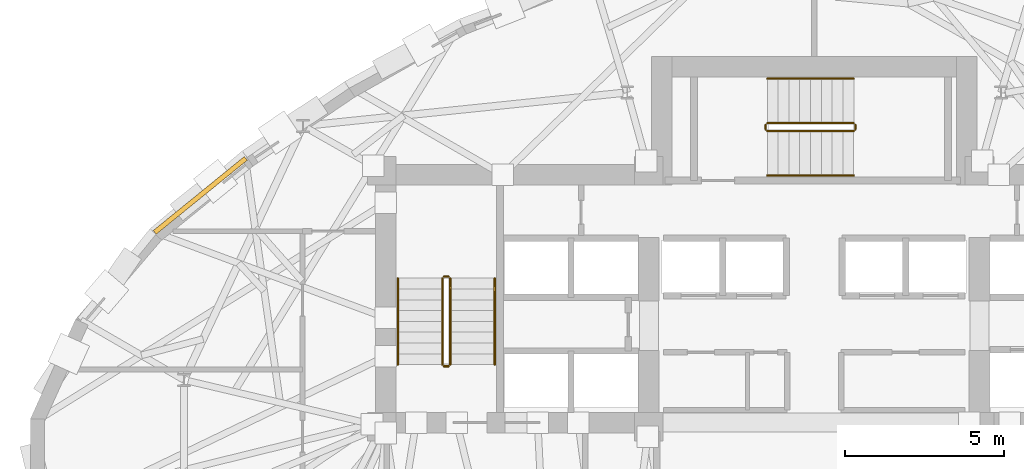
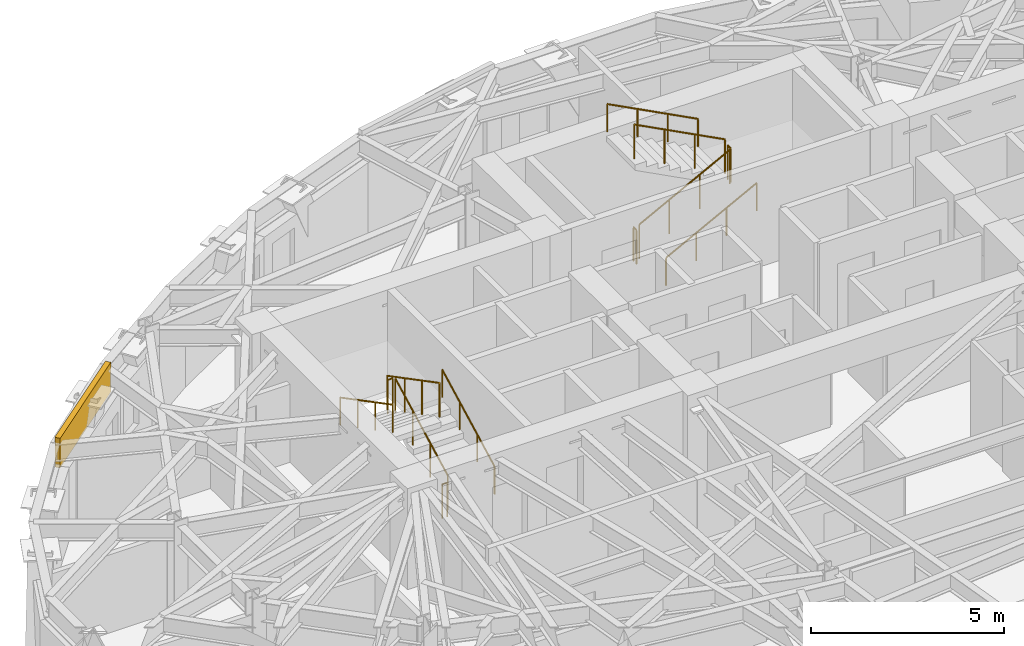
# One storey, part 12 of 14: 12 railings, 1 covering.
"""IFC4 building model written with IfcOpenShell, lengths in metres."""

from ifc_helpers import new_model, si_unit, direction, frame, origin, origin_2d, place, context, subcontext, project, spatial, rectangle, circle, extrude, material, layer, layer_set, type_object, element, save


model = new_model("IFC4")

# Units and contexts
model_context = context("Model", 3, precision=1e-05, world=origin(), true_north=direction((0.0, 1.0)))
body_context = subcontext(model_context, "Body", "Model", "MODEL_VIEW")
ifc_project = project(units=[si_unit("LENGTHUNIT", "METRE"), si_unit("AREAUNIT", "SQUARE_METRE"), si_unit("VOLUMEUNIT", "CUBIC_METRE"), si_unit("PLANEANGLEUNIT", "RADIAN"), si_unit("MASSUNIT", "GRAM", prefix="KILO")], contexts=[model_context])

# Site, building, storey
site_placement = place(None, origin())
site = spatial("IfcSite", under=ifc_project, at=site_placement, CompositionType="ELEMENT")
building_placement = place(site_placement, origin())
building = spatial("IfcBuilding", under=site, at=building_placement, Name="Keldmark Tower", CompositionType="ELEMENT")
storey_placement = place(building_placement, frame((0.0, 0.0, 188.60009765625)))
storey = spatial("IfcBuildingStorey", under=building, at=storey_placement, Name="L52", CompositionType="ELEMENT", Elevation=188.60009765625)

# Covering
ifc_material_1 = material(Name="Honed Kasota Buff Dolomitic Limestone", Category="masonry")
ifc_layer = layer(ifc_material_1, 0.074951171875)
ifc_layer_set = layer_set([ifc_layer], Name="Honed Kasota Buff Dolomitic Limestone")
covering_type = type_object("IfcCoveringType", Name="Kasota Buff Limestone Spandrel Cladding Band", PredefinedType="CLADDING", material=ifc_layer_set)
covering_placement = place(storey_placement, frame((-19.31494140625, 8.67578125, 2.239013671875), z_axis=(0.0, 0.0, 1.0), x_axis=(-0.776167473827, -0.630526805595, 0.0)))
element("IfcCovering", 1, at=covering_placement, inside=storey, type_object=covering_type, Name="L52 Kasota Limestone Spandrel Band 13", PredefinedType="CLADDING", context=body_context, shape_type="SweptSolid", body=[
    extrude(rectangle(XDim=3.68994140625, YDim=0.14990234375, at=origin_2d()), origin(), (0.0, 0.0, 1.0), 0.94091796875),
])

# Railings
ifc_material_2 = material(Name="Painted Steel ASTM A500 Grade B", Category="steel")
railing_type_1 = type_object("IfcRailingType", Name="Painted Steel Stair Well Guard 1100 mm", PredefinedType="GUARDRAIL", material=ifc_material_2)
railing_1_placement = place(storey_placement, frame((-11.449951171875, 3.35009765625, 0.177734375)))
element("IfcRailing", 2, at=railing_1_placement, inside=storey, type_object=railing_type_1, Name="L52 ST1 stair guard 1", PredefinedType="GUARDRAIL", context=body_context, shape_type="SweptSolid", body=[
    extrude(circle(Radius=0.02392578125, at=origin_2d()), frame((0.0, 0.0, 1.076171875), z_axis=(0.0, 0.886183135912, 0.463335137482), x_axis=(-1.0, 0.0, 0.0)), (0.0, 0.0, 1.0), 3.0693359375),
    extrude(circle(Radius=0.02099609375, at=origin_2d()), origin(), (0.0, 0.0, 1.0), 1.052001953125),
    extrude(circle(Radius=0.02099609375, at=origin_2d()), frame((0.0, 0.90673828125, 0.47412109375)), (0.0, 0.0, 1.0), 1.052001953125),
    extrude(circle(Radius=0.02099609375, at=origin_2d()), frame((0.0, 1.813232421875, 0.947998046875)), (0.0, 0.0, 1.0), 1.052001953125),
    extrude(circle(Radius=0.02099609375, at=origin_2d()), frame((0.0, 2.719970703125, 1.422119140625)), (0.0, 0.0, 1.0), 1.052001953125),
])
railing_2_placement = place(storey_placement, frame((-11.5, 6.1201171875, 1.599853515625)))
element("IfcRailing", 3, at=railing_2_placement, inside=storey, type_object=railing_type_1, Name="L52 ST1 stair guard 2", PredefinedType="GUARDRAIL", context=body_context, shape_type="SweptSolid", body=[
    extrude(circle(Radius=0.02392578125, at=origin_2d()), frame((0.0, 0.0, 1.076171875), z_axis=(-1.0, 0.0, 0.0), x_axis=(0.0, -1.0, 0.0)), (0.0, 0.0, 1.0), 0.14990234375),
    extrude(circle(Radius=0.02099609375, at=origin_2d()), origin(), (0.0, 0.0, 1.0), 1.052001953125),
    extrude(circle(Radius=0.02099609375, at=origin_2d()), frame((-0.14990234375, 0.0, 0.0)), (0.0, 0.0, 1.0), 1.052001953125),
])
railing_3_placement = place(storey_placement, frame((-11.699951171875, 6.070068359375, 1.777587890625)))
element("IfcRailing", 4, at=railing_3_placement, inside=storey, type_object=railing_type_1, Name="L52 ST1 stair guard 3", PredefinedType="GUARDRAIL", context=body_context, shape_type="SweptSolid", body=[
    extrude(circle(Radius=0.02392578125, at=origin_2d()), frame((0.0, 0.0, 1.076171875), z_axis=(0.0, -0.886150474775, 0.463397600399), x_axis=(1.0, 0.0, 0.0)), (0.0, 0.0, 1.0), 3.0693359375),
    extrude(circle(Radius=0.02099609375, at=origin_2d()), origin(), (0.0, 0.0, 1.0), 1.052001953125),
    extrude(circle(Radius=0.02099609375, at=origin_2d()), frame((0.0, -0.90673828125, 0.47412109375)), (0.0, 0.0, 1.0), 1.052001953125),
    extrude(circle(Radius=0.02099609375, at=origin_2d()), frame((0.0, -1.813232421875, 0.9482421875)), (0.0, 0.0, 1.0), 1.052001953125),
    extrude(circle(Radius=0.02099609375, at=origin_2d()), frame((0.0, -2.719970703125, 1.42236328125)), (0.0, 0.0, 1.0), 1.052001953125),
])
railing_4_placement = place(storey_placement, frame((-11.5, 3.300048828125, 0.0)))
element("IfcRailing", 5, at=railing_4_placement, inside=storey, type_object=railing_type_1, Name="L52 ST1 stair guard 4", PredefinedType="GUARDRAIL", context=body_context, shape_type="SweptSolid", body=[
    extrude(circle(Radius=0.02392578125, at=origin_2d()), frame((0.0, 0.0, 1.076171875), z_axis=(-1.0, 0.0, 0.0), x_axis=(0.0, -1.0, 0.0)), (0.0, 0.0, 1.0), 0.14990234375),
    extrude(circle(Radius=0.02099609375, at=origin_2d()), origin(), (0.0, 0.0, 1.0), 1.052001953125),
    extrude(circle(Radius=0.02099609375, at=origin_2d()), frame((-0.14990234375, 0.0, 0.0)), (0.0, 0.0, 1.0), 1.052001953125),
])
railing_5_placement = place(storey_placement, frame((-1.47509765625, 10.699951171875, 0.177734375)))
element("IfcRailing", 6, at=railing_5_placement, inside=storey, type_object=railing_type_1, Name="L52 ST3 stair guard 1", PredefinedType="GUARDRAIL", context=body_context, shape_type="SweptSolid", body=[
    extrude(circle(Radius=0.02392578125, at=origin_2d()), frame((0.0, 0.0, 1.076171875), z_axis=(0.886200210249, 0.0, 0.463302479331), x_axis=(0.0, 1.0, 0.0)), (0.0, 0.0, 1.0), 3.069580078125),
    extrude(circle(Radius=0.02099609375, at=origin_2d()), origin(), (0.0, 0.0, 1.0), 1.052001953125),
    extrude(circle(Radius=0.02099609375, at=origin_2d()), frame((0.90673828125, 0.0, 0.47412109375)), (0.0, 0.0, 1.0), 1.052001953125),
    extrude(circle(Radius=0.02099609375, at=origin_2d()), frame((1.8134765625, 0.0, 0.947998046875)), (0.0, 0.0, 1.0), 1.052001953125),
    extrude(circle(Radius=0.02099609375, at=origin_2d()), frame((2.72021484375, 0.0, 1.422119140625)), (0.0, 0.0, 1.0), 1.052001953125),
])
railing_6_placement = place(storey_placement, frame((1.294921875, 10.75, 1.599853515625)))
element("IfcRailing", 7, at=railing_6_placement, inside=storey, type_object=railing_type_1, Name="L52 ST3 stair guard 2", PredefinedType="GUARDRAIL", context=body_context, shape_type="SweptSolid", body=[
    extrude(circle(Radius=0.02392578125, at=origin_2d()), frame((0.0, 0.0, 1.076171875), z_axis=(0.0, 1.0, 0.0), x_axis=(-1.0, 0.0, 0.0)), (0.0, 0.0, 1.0), 0.14990234375),
    extrude(circle(Radius=0.02099609375, at=origin_2d()), origin(), (0.0, 0.0, 1.0), 1.052001953125),
    extrude(circle(Radius=0.02099609375, at=origin_2d()), frame((0.0, 0.14990234375, 0.0)), (0.0, 0.0, 1.0), 1.052001953125),
])
railing_7_placement = place(storey_placement, frame((1.2451171875, 10.949951171875, 1.777587890625)))
element("IfcRailing", 8, at=railing_7_placement, inside=storey, type_object=railing_type_1, Name="L52 ST3 stair guard 3", PredefinedType="GUARDRAIL", context=body_context, shape_type="SweptSolid", body=[
    extrude(circle(Radius=0.02392578125, at=origin_2d()), frame((0.0, 0.0, 1.076171875), z_axis=(-0.886167553088, 0.0, 0.463364940252), x_axis=(0.0, -1.0, 0.0)), (0.0, 0.0, 1.0), 3.069580078125),
    extrude(circle(Radius=0.02099609375, at=origin_2d()), origin(), (0.0, 0.0, 1.0), 1.052001953125),
    extrude(circle(Radius=0.02099609375, at=origin_2d()), frame((-0.90673828125, 0.0, 0.47412109375)), (0.0, 0.0, 1.0), 1.052001953125),
    extrude(circle(Radius=0.02099609375, at=origin_2d()), frame((-1.8134765625, 0.0, 0.9482421875)), (0.0, 0.0, 1.0), 1.052001953125),
    extrude(circle(Radius=0.02099609375, at=origin_2d()), frame((-2.72021484375, 0.0, 1.42236328125)), (0.0, 0.0, 1.0), 1.052001953125),
])
railing_8_placement = place(storey_placement, frame((-1.52490234375, 10.75, 0.0)))
element("IfcRailing", 9, at=railing_8_placement, inside=storey, type_object=railing_type_1, Name="L52 ST3 stair guard 4", PredefinedType="GUARDRAIL", context=body_context, shape_type="SweptSolid", body=[
    extrude(circle(Radius=0.02392578125, at=origin_2d()), frame((0.0, 0.0, 1.076171875), z_axis=(0.0, 1.0, 0.0), x_axis=(-1.0, 0.0, 0.0)), (0.0, 0.0, 1.0), 0.14990234375),
    extrude(circle(Radius=0.02099609375, at=origin_2d()), origin(), (0.0, 0.0, 1.0), 1.052001953125),
    extrude(circle(Radius=0.02099609375, at=origin_2d()), frame((0.0, 0.14990234375, 0.0)), (0.0, 0.0, 1.0), 1.052001953125),
])
ifc_material_3 = material(Name="Stainless Steel AISI 316L", Category="steel")
railing_type_2 = type_object("IfcRailingType", Name="Stainless Steel Stair Handrail 900 mm", PredefinedType="HANDRAIL", material=ifc_material_3)
railing_9_placement = place(storey_placement, frame((-10.050048828125, 3.35009765625, 0.177734375)))
element("IfcRailing", 10, at=railing_9_placement, inside=storey, type_object=railing_type_2, Name="L52 ST1 stair handrail 1", PredefinedType="HANDRAIL", context=body_context, shape_type="SweptSolid", body=[
    extrude(circle(Radius=0.02392578125, at=origin_2d()), frame((0.0, 0.0, 0.8759765625), z_axis=(0.0, 0.886183135912, 0.463335137482), x_axis=(-1.0, 0.0, 0.0)), (0.0, 0.0, 1.0), 3.0693359375),
    extrude(circle(Radius=0.02099609375, at=origin_2d()), origin(), (0.0, 0.0, 1.0), 0.851806640625),
    extrude(circle(Radius=0.02099609375, at=origin_2d()), frame((0.0, 0.90673828125, 0.47412109375)), (0.0, 0.0, 1.0), 0.851806640625),
    extrude(circle(Radius=0.02099609375, at=origin_2d()), frame((0.0, 1.813232421875, 0.947998046875)), (0.0, 0.0, 1.0), 0.851806640625),
    extrude(circle(Radius=0.02099609375, at=origin_2d()), frame((0.0, 2.719970703125, 1.422119140625)), (0.0, 0.0, 1.0), 0.851806640625),
])
railing_10_placement = place(storey_placement, frame((-13.10009765625, 6.070068359375, 1.777587890625)))
element("IfcRailing", 11, at=railing_10_placement, inside=storey, type_object=railing_type_2, Name="L52 ST1 stair handrail 2", PredefinedType="HANDRAIL", context=body_context, shape_type="SweptSolid", body=[
    extrude(circle(Radius=0.02392578125, at=origin_2d()), frame((0.0, 0.0, 0.8759765625), z_axis=(0.0, -0.886150474775, 0.463397600399), x_axis=(1.0, 0.0, 0.0)), (0.0, 0.0, 1.0), 3.0693359375),
    extrude(circle(Radius=0.02099609375, at=origin_2d()), origin(), (0.0, 0.0, 1.0), 0.851806640625),
    extrude(circle(Radius=0.02099609375, at=origin_2d()), frame((0.0, -0.90673828125, 0.47412109375)), (0.0, 0.0, 1.0), 0.851806640625),
    extrude(circle(Radius=0.02099609375, at=origin_2d()), frame((0.0, -1.813232421875, 0.9482421875)), (0.0, 0.0, 1.0), 0.851806640625),
    extrude(circle(Radius=0.02099609375, at=origin_2d()), frame((0.0, -2.719970703125, 1.42236328125)), (0.0, 0.0, 1.0), 0.851806640625),
])
railing_11_placement = place(storey_placement, frame((-1.47509765625, 9.300048828125, 0.177734375)))
element("IfcRailing", 12, at=railing_11_placement, inside=storey, type_object=railing_type_2, Name="L52 ST3 stair handrail 1", PredefinedType="HANDRAIL", context=body_context, shape_type="SweptSolid", body=[
    extrude(circle(Radius=0.02392578125, at=origin_2d()), frame((0.0, 0.0, 0.8759765625), z_axis=(0.886200210249, 0.0, 0.463302479331), x_axis=(0.0, 1.0, 0.0)), (0.0, 0.0, 1.0), 3.069580078125),
    extrude(circle(Radius=0.02099609375, at=origin_2d()), origin(), (0.0, 0.0, 1.0), 0.851806640625),
    extrude(circle(Radius=0.02099609375, at=origin_2d()), frame((0.90673828125, 0.0, 0.47412109375)), (0.0, 0.0, 1.0), 0.851806640625),
    extrude(circle(Radius=0.02099609375, at=origin_2d()), frame((1.8134765625, 0.0, 0.947998046875)), (0.0, 0.0, 1.0), 0.851806640625),
    extrude(circle(Radius=0.02099609375, at=origin_2d()), frame((2.72021484375, 0.0, 1.422119140625)), (0.0, 0.0, 1.0), 0.851806640625),
])
railing_12_placement = place(storey_placement, frame((1.2451171875, 12.35009765625, 1.777587890625)))
element("IfcRailing", 13, at=railing_12_placement, inside=storey, type_object=railing_type_2, Name="L52 ST3 stair handrail 2", PredefinedType="HANDRAIL", context=body_context, shape_type="SweptSolid", body=[
    extrude(circle(Radius=0.02392578125, at=origin_2d()), frame((0.0, 0.0, 0.8759765625), z_axis=(-0.886167553088, 0.0, 0.463364940252), x_axis=(0.0, -1.0, 0.0)), (0.0, 0.0, 1.0), 3.069580078125),
    extrude(circle(Radius=0.02099609375, at=origin_2d()), origin(), (0.0, 0.0, 1.0), 0.851806640625),
    extrude(circle(Radius=0.02099609375, at=origin_2d()), frame((-0.90673828125, 0.0, 0.47412109375)), (0.0, 0.0, 1.0), 0.851806640625),
    extrude(circle(Radius=0.02099609375, at=origin_2d()), frame((-1.8134765625, 0.0, 0.9482421875)), (0.0, 0.0, 1.0), 0.851806640625),
    extrude(circle(Radius=0.02099609375, at=origin_2d()), frame((-2.72021484375, 0.0, 1.42236328125)), (0.0, 0.0, 1.0), 0.851806640625),
])

save(model, "model.ifc")
